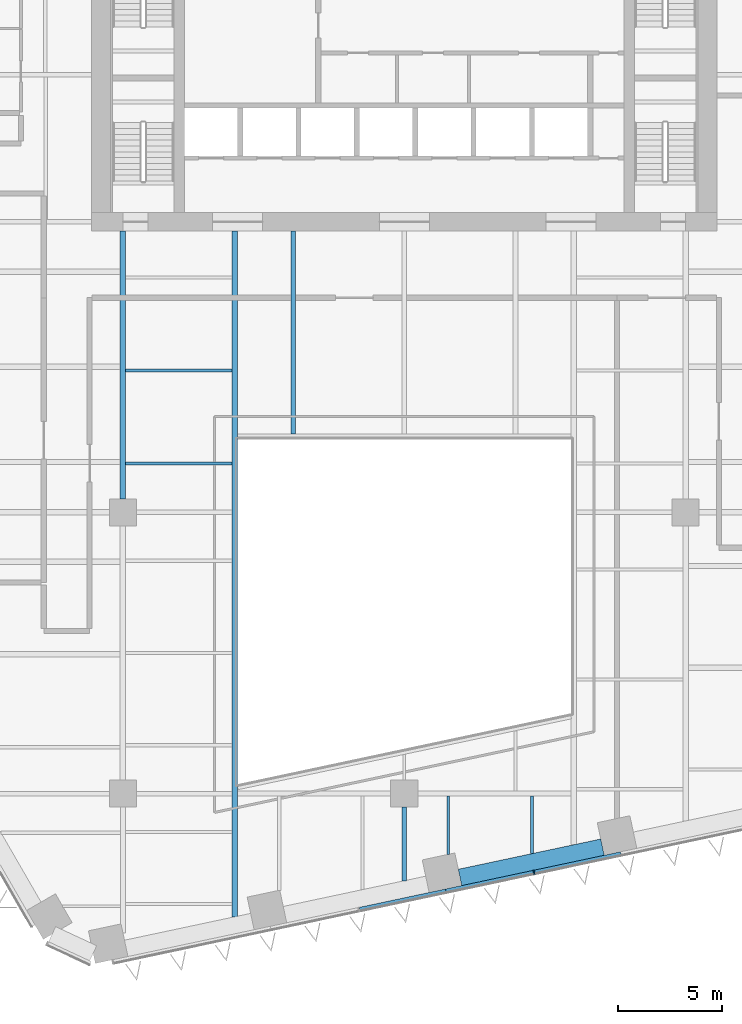
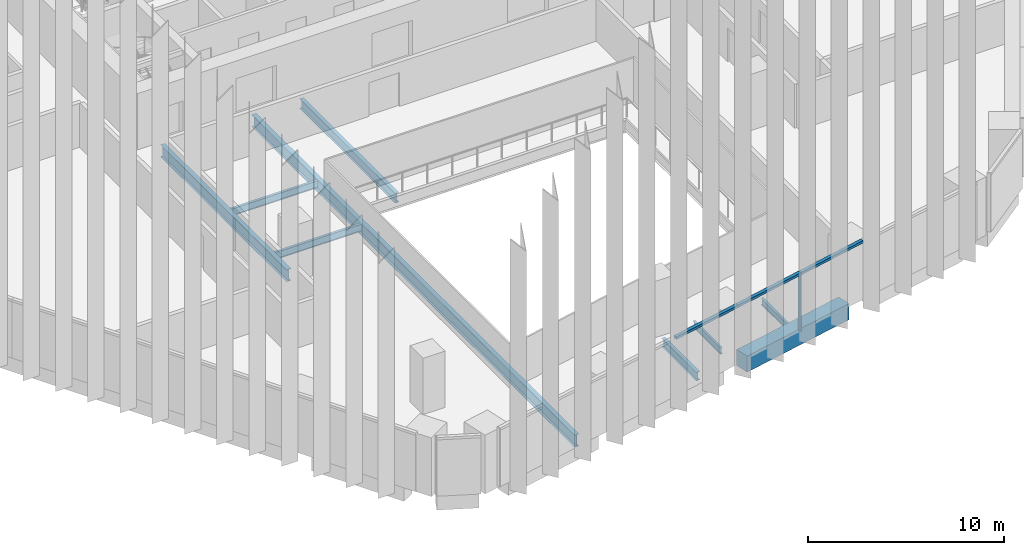
# One storey, part 4 of 24: 9 beams, 4 members, 1 element without a shape of its own.
"""IFC4 building model written with IfcOpenShell, lengths in metres."""

from ifc_helpers import new_model, si_unit, direction, frame, origin, origin_2d, place, context, subcontext, project, spatial, rectangle, i_section, extrude, material, layer, layer_set, material_profile, profile_set, type_object, element, aggregate, save


model = new_model("IFC4")

# Units and contexts
model_context = context("Model", 3, precision=1e-05, world=origin(), true_north=direction((0.0, 1.0)))
body_context = subcontext(model_context, "Body", "Model", "MODEL_VIEW")
ifc_project = project(units=[si_unit("LENGTHUNIT", "METRE"), si_unit("AREAUNIT", "SQUARE_METRE"), si_unit("VOLUMEUNIT", "CUBIC_METRE"), si_unit("PLANEANGLEUNIT", "RADIAN"), si_unit("MASSUNIT", "GRAM", prefix="KILO")], contexts=[model_context])

# Site, building, storey
site_placement = place(None, origin())
site = spatial("IfcSite", under=ifc_project, at=site_placement, CompositionType="ELEMENT")
building_placement = place(site_placement, origin())
building = spatial("IfcBuilding", under=site, at=building_placement, Name="Isthmus Gate Tower", CompositionType="ELEMENT")
storey_placement = place(building_placement, frame((0.0, 0.0, 80.64990234375)))
storey = spatial("IfcBuildingStorey", under=building, at=storey_placement, Name="L18", CompositionType="ELEMENT", Elevation=80.64990234375)

# Curtain wall, members
ifc_material_1 = material(Name="Aluminium, pale champagne anodised", Category="aluminium")
ifc_layer = layer(ifc_material_1, 0.199951171875)
ifc_layer_set = layer_set([ifc_layer], Name="CW-1 UNITISED CURTAIN WALL 200 DEEP")
curtain_wall_type = type_object("IfcCurtainWallType", Name="CW-1 UNITISED CURTAIN WALL 200 DEEP", PredefinedType="NOTDEFINED", material=ifc_layer_set)
curtain_wall_placement = place(storey_placement, origin())
curtain_wall = element("IfcCurtainWall", 1, at=curtain_wall_placement, inside=storey, type_object=curtain_wall_type, Name="CW-1 S L18", PredefinedType="NOTDEFINED")
ifc_material_2 = material(Name="Aluminium, pale champagne anodised", Category="aluminium")
ifc_material_profile_1 = material_profile(ifc_material_2, rectangle(XDim=0.06005859375, YDim=0.199951171875, at=origin_2d()), Name="60x200")
ifc_profile_set_1 = profile_set([ifc_material_profile_1], Name="Aluminium, pale champagne anodised")
member_type_1 = type_object("IfcMemberType", Name="CW-1 MULLION 60 X 200", PredefinedType="MULLION", material=ifc_profile_set_1)
member_1_placement = place(storey_placement, frame((6.228759765625, -30.7783203125, 0.0), z_axis=(0.0, 0.0, 1.0), x_axis=(0.978147600734, 0.207911690818, 0.0)))
member_1 = element("IfcMember", 2, at=member_1_placement, type_object=member_type_1, Name="CW-1 mullion", PredefinedType="MULLION", context=body_context, shape_type="SweptSolid", body=[
    extrude(rectangle(XDim=0.06005859375, YDim=0.199951171875, at=origin_2d()), origin(), (0.0, 0.0, 1.0), 3.650146484375),
])
ifc_material_3 = material(Name="Aluminium, pale champagne anodised", Category="aluminium")
ifc_material_profile_2 = material_profile(ifc_material_3, rectangle(XDim=0.199951171875, YDim=0.14990234375, at=origin_2d()), Name="200x150")
ifc_profile_set_2 = profile_set([ifc_material_profile_2], Name="Aluminium, pale champagne anodised")
member_type_2 = type_object("IfcMemberType", Name="CW-1 TRANSOM 200 X 150", PredefinedType="USERDEFINED", material=ifc_profile_set_2)
member_2_placement = place(storey_placement, frame((-2.1435546875, -32.557861328125, 3.5751953125), z_axis=(0.978150351608, 0.20789874855, 0.0), x_axis=(-0.20789874855, 0.978150351608, 0.0)))
member_2 = element("IfcMember", 3, at=member_2_placement, type_object=member_type_2, Name="CW-1 transom", ObjectType="TRANSOM", PredefinedType="USERDEFINED", context=body_context, shape_type="SweptSolid", body=[
    extrude(rectangle(XDim=0.199951171875, YDim=0.14990234375, at=origin_2d()), origin(), (0.0, 0.0, 1.0), 4.234619140625),
])
member_3_placement = place(storey_placement, frame((1.99853515625, -31.677490234375, 3.5751953125), z_axis=(0.97813890815, 0.207952582007, 0.0), x_axis=(-0.207952582007, 0.97813890815, 0.0)))
member_3 = element("IfcMember", 4, at=member_3_placement, type_object=member_type_2, Name="CW-1 transom", ObjectType="TRANSOM", PredefinedType="USERDEFINED", context=body_context, shape_type="SweptSolid", body=[
    extrude(rectangle(XDim=0.199951171875, YDim=0.14990234375, at=origin_2d()), origin(), (0.0, 0.0, 1.0), 4.294677734375),
])
member_4_placement = place(storey_placement, frame((6.258056640625, -30.77197265625, 3.5751953125), z_axis=(0.978150351608, 0.20789874855, 0.0), x_axis=(-0.20789874855, 0.978150351608, 0.0)))
member_4 = element("IfcMember", 5, at=member_4_placement, type_object=member_type_2, Name="CW-1 transom", ObjectType="TRANSOM", PredefinedType="USERDEFINED", context=body_context, shape_type="SweptSolid", body=[
    extrude(rectangle(XDim=0.199951171875, YDim=0.14990234375, at=origin_2d()), origin(), (0.0, 0.0, 1.0), 4.234619140625),
])
aggregate(curtain_wall, [member_2, member_3, member_1, member_4])

# Beams
ifc_material_4 = material(Name="Concrete f'c 70 MPa", Category="concrete")
ifc_material_profile_3 = material_profile(ifc_material_4, rectangle(XDim=0.800048828125, YDim=1.0, at=origin_2d()), Name="RC 800X1000")
ifc_profile_set_3 = profile_set([ifc_material_profile_3], Name="Concrete f'c 70 MPa")
beam_type_1 = type_object("IfcBeamType", Name="RC SPANDREL 800 X 1000", PredefinedType="SPANDREL", material=ifc_profile_set_3)
beam_1_placement = place(storey_placement, frame((9.513671875, -29.56884765625, -0.5), z_axis=(-0.978149173437, -0.207904291694, 0.0), x_axis=(0.207904291694, -0.978149173437, 0.0)))
element("IfcBeam", 6, at=beam_1_placement, inside=storey, type_object=beam_type_1, Name="str-spandrel-L18-11", PredefinedType="SPANDREL", context=body_context, shape_type="SweptSolid", body=[
    extrude(rectangle(XDim=0.800048828125, YDim=1.0, at=origin_2d()), origin(), (0.0, 0.0, 1.0), 6.989501953125),
])
ifc_material_5 = material(Name="Structural steel ASTM A992 Gr 50", Category="steel")
ifc_material_profile_4 = material_profile(ifc_material_5, i_section(OverallWidth=0.1396484375, OverallDepth=0.4033203125, WebThickness=0.00634765625, FlangeThickness=0.010986328125, at=origin_2d()), Name="W16X31")
ifc_profile_set_4 = profile_set([ifc_material_profile_4], Name="Structural steel ASTM A992 Gr 50")
beam_type_2 = type_object("IfcBeamType", Name="STEEL FLOOR BEAM W16X31", PredefinedType="JOIST", material=ifc_profile_set_4)
beam_2_placement = place(storey_placement, frame((2.111572265625, -29.91552734375, -0.3515625), z_axis=(0.0, 1.0, 0.0), x_axis=(-1.0, 0.0, 0.0)))
element("IfcBeam", 7, at=beam_2_placement, inside=storey, type_object=beam_type_2, Name="str-beam-L18-19-00", PredefinedType="JOIST", context=body_context, shape_type="SweptSolid", body=[
    extrude(i_section(OverallWidth=0.1396484375, OverallDepth=0.4033203125, WebThickness=0.00634765625, FlangeThickness=0.010986328125, at=origin_2d()), origin(), (0.0, 0.0, 1.0), 2.80126953125),
])
beam_3_placement = place(storey_placement, frame((6.125, -29.880126953125, -0.3515625), z_axis=(0.0, 1.0, 0.0), x_axis=(-1.0, 0.0, 0.0)))
element("IfcBeam", 8, at=beam_3_placement, inside=storey, type_object=beam_type_2, Name="str-beam-L18-19-01", PredefinedType="JOIST", context=body_context, shape_type="SweptSolid", body=[
    extrude(i_section(OverallWidth=0.1396484375, OverallDepth=0.4033203125, WebThickness=0.00634765625, FlangeThickness=0.010986328125, at=origin_2d()), origin(), (0.0, 0.0, 1.0), 2.765869140625),
])
ifc_material_6 = material(Name="Structural steel ASTM A992 Gr 50", Category="steel")
ifc_material_profile_5 = material_profile(ifc_material_6, i_section(OverallWidth=0.15234375, OverallDepth=0.45068359375, WebThickness=0.0078125, FlangeThickness=0.010986328125, at=origin_2d()), Name="W18X35")
ifc_profile_set_5 = profile_set([ifc_material_profile_5], Name="Structural steel ASTM A992 Gr 50")
beam_type_3 = type_object("IfcBeamType", Name="STEEL FLOOR BEAM W18X35", PredefinedType="JOIST", material=ifc_profile_set_5)
for number, where, z_axis, x_axis, name in (
    (9, (-13.3681640625, -11.16259765625, -0.375244140625), (1.0, 0.0, 0.0), (0.0, 1.0, 0.0), "str-beam-L18-12-00"),
    (10, (-13.3681640625, -6.697509765625, -0.375244140625), (1.0, 0.0, 0.0), (0.0, 1.0, 0.0), "str-beam-L18-12-01"),
):
    element("IfcBeam", number, at=place(storey_placement, frame(where, z_axis=z_axis, x_axis=x_axis)), inside=storey, type_object=beam_type_3, Name=name, PredefinedType="JOIST", context=body_context, shape_type="SweptSolid", body=[
        extrude(i_section(OverallWidth=0.15234375, OverallDepth=0.45068359375, WebThickness=0.0078125, FlangeThickness=0.010986328125, at=origin_2d()), origin(), (0.0, 0.0, 1.0), 5.1015625),
    ])
ifc_material_7 = material(Name="Structural steel ASTM A992 Gr 50", Category="steel")
ifc_material_profile_6 = material_profile(ifc_material_7, i_section(OverallWidth=0.228515625, OverallDepth=0.603271484375, WebThickness=0.010986328125, FlangeThickness=0.014404296875, at=origin_2d()), Name="W24X68")
ifc_profile_set_6 = profile_set([ifc_material_profile_6], Name="Structural steel ASTM A992 Gr 50")
beam_type_4 = type_object("IfcBeamType", Name="STEEL FLOOR BEAM W24X68", PredefinedType="JOIST", material=ifc_profile_set_6)
beam_4_placement = place(storey_placement, frame((-5.333251953125, -9.7333984375, -0.451416015625), z_axis=(0.0, 1.0, 0.0), x_axis=(-1.0, 0.0, 0.0)))
element("IfcBeam", 11, at=beam_4_placement, inside=storey, type_object=beam_type_4, Name="str-beam-L18-17-00", PredefinedType="JOIST", context=body_context, shape_type="SweptSolid", body=[
    extrude(i_section(OverallWidth=0.228515625, OverallDepth=0.603271484375, WebThickness=0.010986328125, FlangeThickness=0.014404296875, at=origin_2d()), origin(), (0.0, 0.0, 1.0), 9.7333984375),
])
ifc_material_8 = material(Name="Structural steel ASTM A992 Gr 50", Category="steel")
ifc_material_profile_7 = material_profile(ifc_material_8, i_section(OverallWidth=0.20947265625, OverallDepth=0.533447265625, WebThickness=0.009521484375, FlangeThickness=0.015869140625, at=origin_2d()), Name="W21X62")
ifc_profile_set_7 = profile_set([ifc_material_profile_7], Name="Structural steel ASTM A992 Gr 50")
beam_type_5 = type_object("IfcBeamType", Name="STEEL GIRDER W21X62", PredefinedType="BEAM", material=ifc_profile_set_7)
beam_5_placement = place(storey_placement, frame((0.0, -31.18212890625, -0.41650390625), z_axis=(0.0, 1.0, 0.0), x_axis=(-1.0, 0.0, 0.0)))
element("IfcBeam", 12, at=beam_5_placement, inside=storey, type_object=beam_type_5, Name="str-girder-L18-29", PredefinedType="BEAM", context=body_context, shape_type="SweptSolid", body=[
    extrude(i_section(OverallWidth=0.20947265625, OverallDepth=0.533447265625, WebThickness=0.009521484375, FlangeThickness=0.015869140625, at=origin_2d()), origin(), (0.0, 0.0, 1.0), 3.5322265625),
])
ifc_material_9 = material(Name="Structural steel ASTM A992 Gr 50", Category="steel")
ifc_material_profile_8 = material_profile(ifc_material_9, i_section(OverallWidth=0.263427734375, OverallDepth=0.749267578125, WebThickness=0.0126953125, FlangeThickness=0.015869140625, at=origin_2d()), Name="W30X90")
ifc_profile_set_8 = profile_set([ifc_material_profile_8], Name="Structural steel ASTM A992 Gr 50")
beam_type_6 = type_object("IfcBeamType", Name="STEEL GIRDER W30X90", PredefinedType="BEAM", material=ifc_profile_set_8)
beam_6_placement = place(storey_placement, frame((-13.5, -12.85009765625, -0.524658203125), z_axis=(0.0, 1.0, 0.0), x_axis=(-1.0, 0.0, 0.0)))
element("IfcBeam", 13, at=beam_6_placement, inside=storey, type_object=beam_type_6, Name="str-girder-L18-26", PredefinedType="BEAM", context=body_context, shape_type="SweptSolid", body=[
    extrude(i_section(OverallWidth=0.263427734375, OverallDepth=0.749267578125, WebThickness=0.0126953125, FlangeThickness=0.015869140625, at=origin_2d()), origin(), (0.0, 0.0, 1.0), 12.85009765625),
])
ifc_material_10 = material(Name="Structural steel ASTM A992 Gr 50", Category="steel")
ifc_material_profile_9 = material_profile(ifc_material_10, i_section(OverallWidth=0.2666015625, OverallDepth=0.7587890625, WebThickness=0.014404296875, FlangeThickness=0.01904296875, at=origin_2d()), Name="W30X108")
ifc_profile_set_9 = profile_set([ifc_material_profile_9], Name="Structural steel ASTM A992 Gr 50")
beam_type_7 = type_object("IfcBeamType", Name="STEEL TRIMMER W30X108", PredefinedType="BEAM", material=ifc_profile_set_9)
beam_7_placement = place(storey_placement, frame((-8.13330078125, 0.0, -0.529296875), z_axis=(0.0, -1.0, 0.0), x_axis=(1.0, 0.0, 0.0)))
element("IfcBeam", 14, at=beam_7_placement, inside=storey, type_object=beam_type_7, Name="str-trimmer-L18-02", PredefinedType="BEAM", context=body_context, shape_type="SweptSolid", body=[
    extrude(i_section(OverallWidth=0.2666015625, OverallDepth=0.7587890625, WebThickness=0.014404296875, FlangeThickness=0.01904296875, at=origin_2d()), origin(), (0.0, 0.0, 1.0), 32.910888671875),
])

save(model, "model.ifc")
